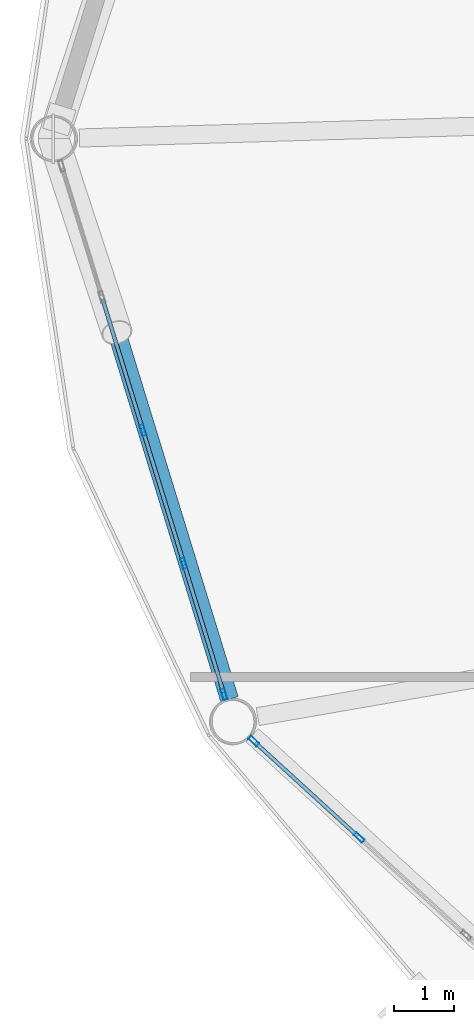
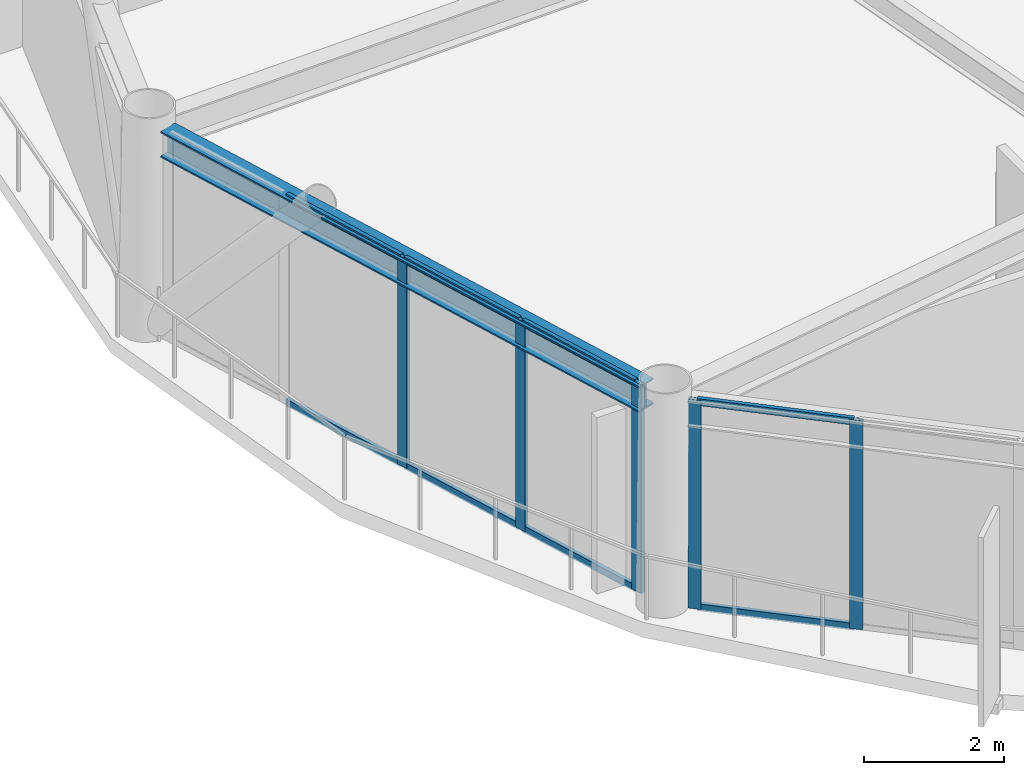
# One storey, part 4 of 25: 13 members, 1 beam, 2 elements without a shape of their own.
"""IFC4 building model written with IfcOpenShell, lengths in metres."""

import ifcopenshell
import ifcopenshell.guid

model = None  # the IFC model being written
_history = None  # IfcOwnerHistory: only IFC2X3 demands one
_inside = {}  # id of a spatial element -> (the spatial element, [elements in it])
_under = {}  # id of a project, library or spatial element -> (it, [spatial elements below it])
_declared = {}  # id of a project -> (the project, [libraries it declares])
_typed = {}  # id of a type object -> (the type object, [elements of that type])
_made_of = {}  # id of a material, layer set ... -> (it, [elements and type objects made of it])


def new_model(schema):
    """Start an empty IFC model of exactly this schema.

    Asked for "IFC4X3", IfcOpenShell would pick the latest addendum, in which some entities
    have other attributes; the version numbers below select the first issue.
    IFC2X3 requires an IfcOwnerHistory on every rooted entity: one is made here for all.
    """
    global model, _history
    if schema == "IFC4X3":
        model = ifcopenshell.file(schema_version=(4, 3, 0, 0))
    else:
        model = ifcopenshell.file(schema=schema)
    _inside.clear()
    _under.clear()
    _declared.clear()
    _typed.clear()
    _made_of.clear()
    _history = None
    if model.schema == "IFC2X3":
        org = make("IfcOrganization", Name="unknown")
        user = make(
            "IfcPersonAndOrganization",
            ThePerson=make("IfcPerson", FamilyName="unknown"),
            TheOrganization=org,
        )
        app = make(
            "IfcApplication",
            ApplicationDeveloper=org,
            Version="unknown",
            ApplicationFullName="unknown",
            ApplicationIdentifier="unknown",
        )
        _history = make(
            "IfcOwnerHistory",
            OwningUser=user,
            OwningApplication=app,
            ChangeAction="ADDED",
            CreationDate=0,
        )
    return model


def make(cls, **values):
    """One entity of the class cls with the attributes given. An attribute that is None is left unset."""
    return model.create_entity(
        cls, **{name: value for name, value in values.items() if value is not None}
    )


def rooted(cls, **values):
    """An entity with a GlobalId (a new one), such as an element, a storey or a relation."""
    return make(cls, GlobalId=ifcopenshell.guid.new(), OwnerHistory=_history, **values)


def si_unit(unit_type, name, prefix=None):
    """IfcSIUnit, for example si_unit("LENGTHUNIT", "METRE", prefix="MILLI")."""
    return make("IfcSIUnit", UnitType=unit_type, Prefix=prefix, Name=name)


def assignment(units):
    """IfcUnitAssignment: the units of a project."""
    return None if units is None else make("IfcUnitAssignment", Units=units)


def point(xyz):
    """IfcCartesianPoint."""
    return None if xyz is None else make("IfcCartesianPoint", Coordinates=xyz)


def direction(xyz):
    """IfcDirection."""
    return None if xyz is None else make("IfcDirection", DirectionRatios=xyz)


def frame(location, z_axis=None, x_axis=None):
    """IfcAxis2Placement3D, a coordinate frame: its origin and axes. An axis left out is left unset."""
    return make(
        "IfcAxis2Placement3D",
        Location=point(location),
        Axis=direction(z_axis),
        RefDirection=direction(x_axis),
    )


def frame_2d(location, x_axis=None):
    """IfcAxis2Placement2D, a coordinate frame in the plane: its origin and x axis."""
    return make(
        "IfcAxis2Placement2D", Location=point(location), RefDirection=direction(x_axis)
    )


def origin():
    """The frame at (0, 0, 0) with its axes left unset."""
    return frame((0.0, 0.0, 0.0))


def origin_2d():
    """The frame at (0, 0) in the plane with its x axis left unset."""
    return frame_2d((0.0, 0.0))


def place(relative_to, where):
    """IfcLocalPlacement: puts the frame where relative to a parent placement (None: the world)."""
    return make(
        "IfcLocalPlacement", PlacementRelTo=relative_to, RelativePlacement=where
    )


def context(
    kind, dimensions, precision=None, world=None, true_north=None, identifier=None
):
    """IfcGeometricRepresentationContext, for example the 3D "Model" context."""
    return make(
        "IfcGeometricRepresentationContext",
        ContextIdentifier=identifier,
        ContextType=kind,
        CoordinateSpaceDimension=dimensions,
        Precision=precision,
        WorldCoordinateSystem=world,
        TrueNorth=true_north,
    )


def subcontext(parent, identifier, kind, view, scale=None):
    """IfcGeometricRepresentationSubContext, for example "Body" below "Model"."""
    return make(
        "IfcGeometricRepresentationSubContext",
        ContextIdentifier=identifier,
        ContextType=kind,
        ParentContext=parent,
        TargetScale=scale,
        TargetView=view,
    )


def project(units=None, contexts=None):
    """IfcProject with its units and contexts."""
    return rooted(
        "IfcProject",
        Name="project",
        RepresentationContexts=contexts,
        UnitsInContext=assignment(units),
    )


def spatial(cls, under=None, at=None, **own):
    """A site, building, storey or space (cls), placed at a placement, below another one or the project."""
    s = rooted(cls, ObjectPlacement=at, **own)
    if under is not None:
        _under.setdefault(under.id(), (under, []))[1].append(s)
    return s


def profile(cls, at=None, kind="AREA", **sizes):
    """A parametric profile (cls). Its sizes go by their IFC names, for example OverallWidth=200.0."""
    return make(cls, ProfileType=kind, Position=at, **sizes)


def hollow_rectangle(**sizes):
    """IfcRectangleHollowProfileDef."""
    return profile("IfcRectangleHollowProfileDef", **sizes)


def i_section(**sizes):
    """IfcIShapeProfileDef."""
    return profile("IfcIShapeProfileDef", **sizes)


def extrude(swept, where, along, depth):
    """IfcExtrudedAreaSolid: the profile swept, set in the frame where, extruded along a direction by depth."""
    return make(
        "IfcExtrudedAreaSolid",
        SweptArea=swept,
        Position=where,
        ExtrudedDirection=direction(along),
        Depth=depth,
    )


def shape(context_of_items, identifier, shape_type, items):
    """IfcShapeRepresentation: the items that make up one representation, for example the "Body"."""
    return make(
        "IfcShapeRepresentation",
        ContextOfItems=context_of_items,
        RepresentationIdentifier=identifier,
        RepresentationType=shape_type,
        Items=items,
    )


def material(Name=None, Category=None):
    """IfcMaterial."""
    return make("IfcMaterial", Name=Name, Category=Category)


def layer(
    of_material, thickness, ventilated=None, Name=None, Category=None, Priority=None
):
    """IfcMaterialLayer: one layer of a wall or slab, of a material (None: an air gap)."""
    return make(
        "IfcMaterialLayer",
        Material=of_material,
        LayerThickness=thickness,
        IsVentilated=ventilated,
        Name=Name,
        Category=Category,
        Priority=Priority,
    )


def layer_set(layers, Name=None):
    """IfcMaterialLayerSet."""
    return make("IfcMaterialLayerSet", MaterialLayers=layers, LayerSetName=Name)


def material_profile(
    of_material, cross_section, Name=None, Category=None, Priority=None
):
    """IfcMaterialProfile: a cross section and its material."""
    return make(
        "IfcMaterialProfile",
        Name=Name,
        Material=of_material,
        Profile=cross_section,
        Priority=Priority,
        Category=Category,
    )


def profile_set(profiles, Name=None, composite=None):
    """IfcMaterialProfileSet."""
    return make(
        "IfcMaterialProfileSet",
        Name=Name,
        MaterialProfiles=profiles,
        CompositeProfile=composite,
    )


def made_of(thing, what):
    """Note that an element or type object is made of a material, layer set ...; save() writes the relation."""
    if what is not None:
        _made_of.setdefault(what.id(), (what, []))[1].append(thing)
    return thing


def type_object(cls, material=None, **own):
    """A type object (cls), such as IfcWallType, which elements share."""
    return made_of(rooted(cls, **own), material)


def element(
    cls,
    number,
    at=None,
    inside=None,
    cuts=None,
    type_object=None,
    material=None,
    context=None,
    identifier="Body",
    shape_type=None,
    held_by="IfcProductDefinitionShape",
    body=None,
    shapes=None,
    **own,
):
    """One element of the class cls, such as IfcWall. Its Tag is "e" and its number.

    at: its placement. inside: the storey or other place that contains it. cuts: it is an
    opening in that element (IfcRelVoidsElement). A single representation is given by context,
    identifier, shape_type and body (its items); several are given by shapes. held_by: the class
    of the entity that holds the representations. save() writes the other relations.
    """
    e = rooted(cls, Tag="e%d" % number, ObjectPlacement=at, **own)
    if body is not None:
        shapes = [shape(context, identifier, shape_type, body)]
    if shapes is not None:
        e.Representation = make(held_by, Representations=shapes)
    if inside is not None:
        _inside.setdefault(inside.id(), (inside, []))[1].append(e)
    if cuts is not None:
        rooted(
            "IfcRelVoidsElement", RelatingBuildingElement=cuts, RelatedOpeningElement=e
        )
    if type_object is not None:
        _typed.setdefault(type_object.id(), (type_object, []))[1].append(e)
    return made_of(e, material)


def aggregate(whole, parts):
    """IfcRelAggregates: a whole, such as a stair, and the parts it consists of."""
    return rooted("IfcRelAggregates", RelatingObject=whole, RelatedObjects=parts)


def save(model, path):
    """Write the relations noted so far, then the file.

    IfcRelAggregates (storeys below a building ...), IfcRelContainedInSpatialStructure (elements
    in a storey), IfcRelDefinesByType, IfcRelAssociatesMaterial and IfcRelDeclares: one each for
    every whole, place, type object, material and project.
    """
    for whole, parts in _under.values():
        aggregate(whole, parts)
    for where, things in _inside.values():
        rooted(
            "IfcRelContainedInSpatialStructure",
            RelatedElements=things,
            RelatingStructure=where,
        )
    for kind, things in _typed.values():
        rooted("IfcRelDefinesByType", RelatedObjects=things, RelatingType=kind)
    for what, things in _made_of.values():
        rooted("IfcRelAssociatesMaterial", RelatedObjects=things, RelatingMaterial=what)
    for by, libraries in _declared.values():
        rooted("IfcRelDeclares", RelatingContext=by, RelatedDefinitions=libraries)
    model.write(path)


model = new_model("IFC4")

# Units and contexts
model_context = context("Model", 3, precision=1e-05, world=origin(), true_north=direction((0.0, 1.0)))
body_context = subcontext(model_context, "Body", "Model", "MODEL_VIEW")
ifc_project = project(units=[si_unit("LENGTHUNIT", "METRE"), si_unit("AREAUNIT", "SQUARE_METRE"), si_unit("VOLUMEUNIT", "CUBIC_METRE"), si_unit("PLANEANGLEUNIT", "RADIAN"), si_unit("MASSUNIT", "GRAM", prefix="KILO")], contexts=[model_context])

# Site, building, storey
site_placement = place(None, origin())
site = spatial("IfcSite", under=ifc_project, at=site_placement, CompositionType="ELEMENT")
building_placement = place(site_placement, origin())
building = spatial("IfcBuilding", under=site, at=building_placement, Name="Varnakorn Sky Granary", CompositionType="ELEMENT")
storey_placement = place(building_placement, frame((0.0, 0.0, 122.699951171875)))
storey = spatial("IfcBuildingStorey", under=building, at=storey_placement, Name="L30", CompositionType="ELEMENT", Elevation=122.699951171875)

# Beam
ifc_material_1 = material(Name="Steel S355JR", Category="steel")
ifc_material_profile_1 = material_profile(ifc_material_1, i_section(OverallWidth=0.300048828125, OverallDepth=0.449951171875, WebThickness=0.013916015625, FlangeThickness=0.02587890625, at=origin_2d()), Name="HE 450 B")
ifc_profile_set_1 = profile_set([ifc_material_profile_1], Name="Steel S355JR")
beam_type = type_object("IfcBeamType", Name="BM-SPD-Z3", PredefinedType="SPANDREL", material=ifc_profile_set_1)
beam_placement = place(storey_placement, frame((-22.575439453125, -0.349853515625, 3.4150390625), z_axis=(0.293618811505, -0.955922587624, 0.0), x_axis=(0.955922587624, 0.293618811505, 0.0)))
element("IfcBeam", 1, at=beam_placement, inside=storey, type_object=beam_type, Name="Perimeter Spandrel Ring Beam RB07 L30", PredefinedType="SPANDREL", context=body_context, shape_type="SweptSolid", body=[
    extrude(i_section(OverallWidth=0.300048828125, OverallDepth=0.449951171875, WebThickness=0.013916015625, FlangeThickness=0.02587890625, at=origin_2d()), origin(), (0.0, 0.0, 1.0), 9.3310546875),
])

# Curtain wall, members
ifc_material_2 = material(Name="Anodised Bronze Aluminium Alloy 6063-T6", Category="aluminium")
ifc_layer = layer(ifc_material_2, 0.179931640625, Name="Anodised Bronze Aluminium Alloy 6063-T6")
ifc_layer_set = layer_set([ifc_layer], Name="Anodised Bronze Aluminium Alloy 6063-T6")
curtain_wall_type = type_object("IfcCurtainWallType", Name="CW-FRM-2", PredefinedType="USERDEFINED", material=ifc_layer_set)
curtain_wall_1_placement = place(storey_placement, origin())
curtain_wall_1 = element("IfcCurtainWall", 2, at=curtain_wall_1_placement, inside=storey, type_object=curtain_wall_type, Name="Unitised Curtain Wall CW4 CW-L30-B07", ObjectType="CURTAIN WALL", PredefinedType="USERDEFINED")
ifc_material_profile_2 = material_profile(ifc_material_2, hollow_rectangle(XDim=0.070068359375, YDim=0.18505859375, WallThickness=0.00390625, at=origin_2d()), Name="ALU MULL 70x185")
ifc_profile_set_2 = profile_set([ifc_material_profile_2], Name="Anodised Bronze Aluminium Alloy 6063-T6")
member_type_1 = type_object("IfcMemberType", Name="CW-FRM-2-MULL", PredefinedType="MULLION", material=ifc_profile_set_2)
member_1_placement = place(storey_placement, frame((-19.926025390625, -9.18798828125, 0.0), z_axis=(0.0, 0.0, 1.0), x_axis=(-0.955870322198, -0.293788915961, 0.0)))
member_1 = element("IfcMember", 3, at=member_1_placement, type_object=member_type_1, Name="CW4 mullion 1", PredefinedType="MULLION", context=body_context, shape_type="SweptSolid", body=[
    extrude(hollow_rectangle(XDim=0.070068359375, YDim=0.18505859375, WallThickness=0.00390625, at=origin_2d()), origin(), (0.0, 0.0, 1.0), 3.64013671875),
])
member_2_placement = place(storey_placement, frame((-20.591796875, -7.021484375, 0.0), z_axis=(0.0, 0.0, 1.0), x_axis=(-0.955870322198, -0.293788915961, 0.0)))
member_2 = element("IfcMember", 4, at=member_2_placement, type_object=member_type_1, Name="CW4 mullion 2", PredefinedType="MULLION", context=body_context, shape_type="SweptSolid", body=[
    extrude(hollow_rectangle(XDim=0.070068359375, YDim=0.18505859375, WallThickness=0.00390625, at=origin_2d()), origin(), (0.0, 0.0, 1.0), 3.64013671875),
])
member_3_placement = place(storey_placement, frame((-21.26806640625, -4.821533203125, 0.0), z_axis=(0.0, 0.0, 1.0), x_axis=(-0.955870322198, -0.293788915961, 0.0)))
member_3 = element("IfcMember", 5, at=member_3_placement, type_object=member_type_1, Name="CW4 mullion 3", PredefinedType="MULLION", context=body_context, shape_type="SweptSolid", body=[
    extrude(hollow_rectangle(XDim=0.070068359375, YDim=0.18505859375, WallThickness=0.00390625, at=origin_2d()), origin(), (0.0, 0.0, 1.0), 3.64013671875),
])

curtain_wall_2_placement = place(storey_placement, origin())
curtain_wall_2 = element("IfcCurtainWall", 6, at=curtain_wall_2_placement, inside=storey, type_object=curtain_wall_type, Name="Unitised Curtain Wall CW4 CW-L30-B08", ObjectType="CURTAIN WALL", PredefinedType="USERDEFINED")
member_4_placement = place(storey_placement, frame((-17.691162109375, -11.556396484375, 0.0), z_axis=(0.0, 0.0, 1.0), x_axis=(-0.674407385715, -0.738359450466, 0.0)))
member_4 = element("IfcMember", 7, at=member_4_placement, type_object=member_type_1, Name="CW4 mullion 4", PredefinedType="MULLION", context=body_context, shape_type="SweptSolid", body=[
    extrude(hollow_rectangle(XDim=0.070068359375, YDim=0.18505859375, WallThickness=0.00390625, at=origin_2d()), origin(), (0.0, 0.0, 1.0), 3.64013671875),
])
member_5_placement = place(storey_placement, frame((-19.4345703125, -9.964111328125, 0.0), z_axis=(0.0, 0.0, 1.0), x_axis=(-0.674407385715, -0.738359450466, 0.0)))
member_5 = element("IfcMember", 8, at=member_5_placement, type_object=member_type_1, Name="CW4 mullion 5", PredefinedType="MULLION", context=body_context, shape_type="SweptSolid", body=[
    extrude(hollow_rectangle(XDim=0.070068359375, YDim=0.18505859375, WallThickness=0.00390625, at=origin_2d()), origin(), (0.0, 0.0, 1.0), 3.64013671875),
])

# Member
ifc_material_profile_3 = material_profile(ifc_material_2, hollow_rectangle(XDim=0.06494140625, YDim=0.1201171875, WallThickness=0.00341796875, at=origin_2d()), Name="ALU TRAN 65x120")
ifc_profile_set_3 = profile_set([ifc_material_profile_3], Name="Anodised Bronze Aluminium Alloy 6063-T6")
member_type_2 = type_object("IfcMemberType", Name="CW-FRM-2-TRAN", PredefinedType="USERDEFINED", material=ifc_profile_set_3)
member_6_placement = place(storey_placement, frame((-19.936279296875, -9.154541015625, 0.032470703125), z_axis=(-0.293765604361, 0.95587748676, 0.0), x_axis=(-0.95587748676, -0.293765604361, 0.0)))
member_6 = element("IfcMember", 9, at=member_6_placement, type_object=member_type_2, Name="CW4 transom 1.1", ObjectType="TRANSOM", PredefinedType="USERDEFINED", context=body_context, shape_type="SweptSolid", body=[
    extrude(hollow_rectangle(XDim=0.06494140625, YDim=0.1201171875, WallThickness=0.00341796875, at=origin_2d()), origin(), (0.0, 0.0, 1.0), 2.196533203125),
])

member_7_placement = place(storey_placement, frame((-19.936279296875, -9.154541015625, 3.607666015625), z_axis=(-0.293765604361, 0.95587748676, 0.0), x_axis=(-0.95587748676, -0.293765604361, 0.0)))
member_7 = element("IfcMember", 10, at=member_7_placement, type_object=member_type_2, Name="CW4 transom 1.2", ObjectType="TRANSOM", PredefinedType="USERDEFINED", context=body_context, shape_type="SweptSolid", body=[
    extrude(hollow_rectangle(XDim=0.06494140625, YDim=0.1201171875, WallThickness=0.00341796875, at=origin_2d()), origin(), (0.0, 0.0, 1.0), 2.196533203125),
])

member_8_placement = place(storey_placement, frame((-20.60205078125, -6.988037109375, 0.032470703125), z_axis=(-0.293855207905, 0.955849944702, 0.0), x_axis=(-0.955849944702, -0.293855207905, 0.0)))
member_8 = element("IfcMember", 11, at=member_8_placement, type_object=member_type_2, Name="CW4 transom 2.1", ObjectType="TRANSOM", PredefinedType="USERDEFINED", context=body_context, shape_type="SweptSolid", body=[
    extrude(hollow_rectangle(XDim=0.06494140625, YDim=0.1201171875, WallThickness=0.00341796875, at=origin_2d()), origin(), (0.0, 0.0, 1.0), 2.231689453125),
])

member_9_placement = place(storey_placement, frame((-20.60205078125, -6.988037109375, 3.607666015625), z_axis=(-0.293855207905, 0.955849944702, 0.0), x_axis=(-0.955849944702, -0.293855207905, 0.0)))
member_9 = element("IfcMember", 12, at=member_9_placement, type_object=member_type_2, Name="CW4 transom 2.2", ObjectType="TRANSOM", PredefinedType="USERDEFINED", context=body_context, shape_type="SweptSolid", body=[
    extrude(hollow_rectangle(XDim=0.06494140625, YDim=0.1201171875, WallThickness=0.00341796875, at=origin_2d()), origin(), (0.0, 0.0, 1.0), 2.231689453125),
])

member_10_placement = place(storey_placement, frame((-21.2783203125, -4.7880859375, 0.032470703125), z_axis=(-0.293755247557, 0.955880669609, 0.0), x_axis=(-0.955880669609, -0.293755247557, 0.0)))
member_10 = element("IfcMember", 13, at=member_10_placement, type_object=member_type_2, Name="CW4 transom 3.1", ObjectType="TRANSOM", PredefinedType="USERDEFINED", context=body_context, shape_type="SweptSolid", body=[
    extrude(hollow_rectangle(XDim=0.06494140625, YDim=0.1201171875, WallThickness=0.00341796875, at=origin_2d()), origin(), (0.0, 0.0, 1.0), 2.2314453125),
])

member_11_placement = place(storey_placement, frame((-21.2783203125, -4.7880859375, 3.607666015625), z_axis=(-0.293755247557, 0.955880669609, 0.0), x_axis=(-0.955880669609, -0.293755247557, 0.0)))
member_11 = element("IfcMember", 14, at=member_11_placement, type_object=member_type_2, Name="CW4 transom 3.2", ObjectType="TRANSOM", PredefinedType="USERDEFINED", context=body_context, shape_type="SweptSolid", body=[
    extrude(hollow_rectangle(XDim=0.06494140625, YDim=0.1201171875, WallThickness=0.00341796875, at=origin_2d()), origin(), (0.0, 0.0, 1.0), 2.2314453125),
])

aggregate(curtain_wall_1, [member_1, member_2, member_3, member_6, member_7, member_8, member_9, member_10, member_11])

member_12_placement = place(storey_placement, frame((-17.717041015625, -11.532958984375, 0.032470703125), z_axis=(-0.738347081543, 0.674420927297, 0.0), x_axis=(-0.674420927297, -0.738347081543, 0.0)))
member_12 = element("IfcMember", 15, at=member_12_placement, type_object=member_type_2, Name="CW4 transom 4.1", ObjectType="TRANSOM", PredefinedType="USERDEFINED", context=body_context, shape_type="SweptSolid", body=[
    extrude(hollow_rectangle(XDim=0.06494140625, YDim=0.1201171875, WallThickness=0.00341796875, at=origin_2d()), origin(), (0.0, 0.0, 1.0), 2.29150390625),
])

member_13_placement = place(storey_placement, frame((-17.717041015625, -11.532958984375, 3.607666015625), z_axis=(-0.738347081543, 0.674420927297, 0.0), x_axis=(-0.674420927297, -0.738347081543, 0.0)))
member_13 = element("IfcMember", 16, at=member_13_placement, type_object=member_type_2, Name="CW4 transom 4.2", ObjectType="TRANSOM", PredefinedType="USERDEFINED", context=body_context, shape_type="SweptSolid", body=[
    extrude(hollow_rectangle(XDim=0.06494140625, YDim=0.1201171875, WallThickness=0.00341796875, at=origin_2d()), origin(), (0.0, 0.0, 1.0), 2.29150390625),
])

aggregate(curtain_wall_2, [member_4, member_5, member_12, member_13])

save(model, "model.ifc")
